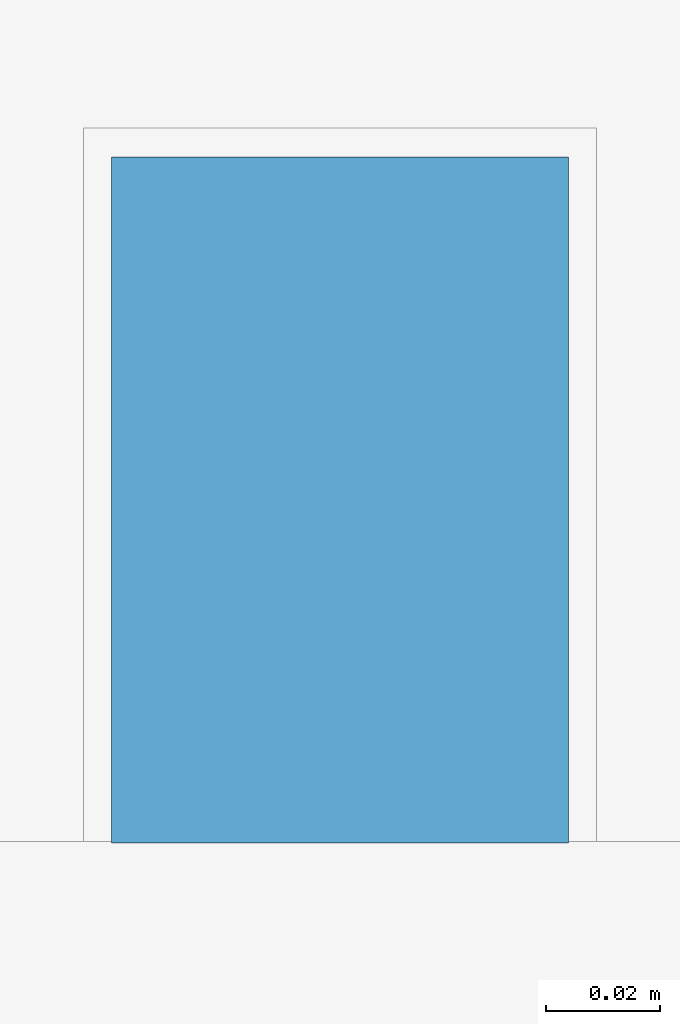
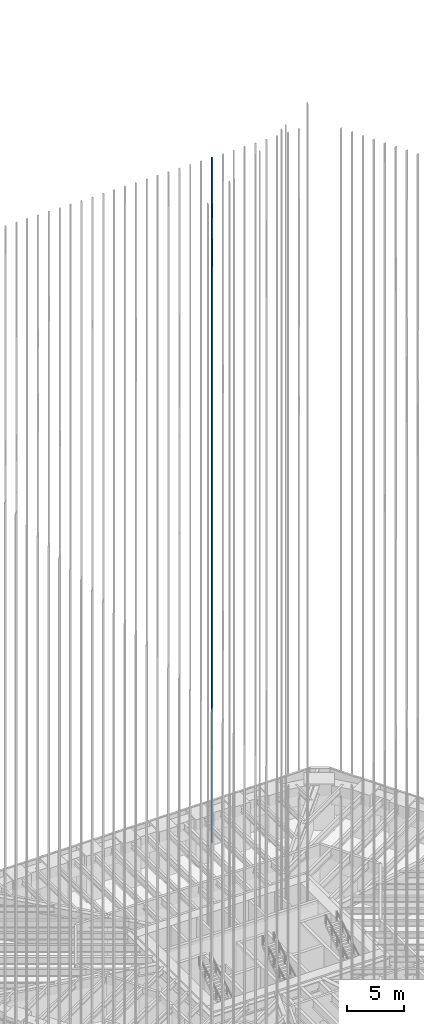
# One storey, part 206 of 228: 1 member, 1 element without a shape of its own.
"""IFC4 building model written with IfcOpenShell, lengths in metres."""

from ifc_helpers import new_model, si_unit, direction, frame, origin, origin_2d, place, context, subcontext, project, spatial, rectangle, extrude, material, material_profile, profile_set, type_object, element, aggregate, save


model = new_model("IFC4")

# Units and contexts
model_context = context("Model", 3, precision=1e-05, world=origin(), true_north=direction((0.0, 1.0)))
body_context = subcontext(model_context, "Body", "Model", "MODEL_VIEW")
ifc_project = project(units=[si_unit("LENGTHUNIT", "METRE"), si_unit("AREAUNIT", "SQUARE_METRE"), si_unit("VOLUMEUNIT", "CUBIC_METRE"), si_unit("PLANEANGLEUNIT", "RADIAN"), si_unit("MASSUNIT", "GRAM", prefix="KILO")], contexts=[model_context])

# Site, building, storey
site_placement = place(None, origin())
site = spatial("IfcSite", under=ifc_project, at=site_placement, CompositionType="ELEMENT")
building_placement = place(site_placement, origin())
building = spatial("IfcBuilding", under=site, at=building_placement, Name="Sandreach Pilgrim Tower", CompositionType="ELEMENT")
storey_placement = place(building_placement, frame((0.0, 0.0, 178.199951171875)))
storey = spatial("IfcBuildingStorey", under=building, at=storey_placement, Name="L44", CompositionType="ELEMENT", Elevation=178.199951171875)

# Curtain wall, member
ifc_material_1 = material(Name="Aluminium framed curtain wall", Category="aluminium")
curtain_wall_type = type_object("IfcCurtainWallType", Name="Upper hotel tower curtain wall", PredefinedType="NOTDEFINED", material=ifc_material_1)
curtain_wall_placement = place(storey_placement, origin())
curtain_wall = element("IfcCurtainWall", 1, at=curtain_wall_placement, inside=storey, type_object=curtain_wall_type, Name="CW-3 L44 N", PredefinedType="NOTDEFINED")
ifc_material_2 = material(Name="Extruded terracotta on aluminium core", Category="masonry")
ifc_material_profile = material_profile(ifc_material_2, rectangle(XDim=0.080078125, YDim=0.1201171875, at=origin_2d()), Name="TBN 80X120")
ifc_profile_set = profile_set([ifc_material_profile], Name="Extruded terracotta on aluminium core")
member_type = type_object("IfcMemberType", Name="Terracotta baguette north", PredefinedType="USERDEFINED", material=ifc_profile_set)
member_placement = place(storey_placement, frame((7.698974609375, 21.52001953125, 0.0), z_axis=(0.0, 0.0, 1.0), x_axis=(1.0, 0.0, 0.0)))
member = element("IfcMember", 2, at=member_placement, type_object=member_type, Name="Baguette Z3 N23", ObjectType="BAGUETTE", PredefinedType="USERDEFINED", context=body_context, shape_type="SweptSolid", body=[
    extrude(rectangle(XDim=0.080078125, YDim=0.1201171875, at=origin_2d()), origin(), (0.0, 0.0, 1.0), 73.239990234375),
])
aggregate(curtain_wall, [member])

save(model, "model.ifc")
